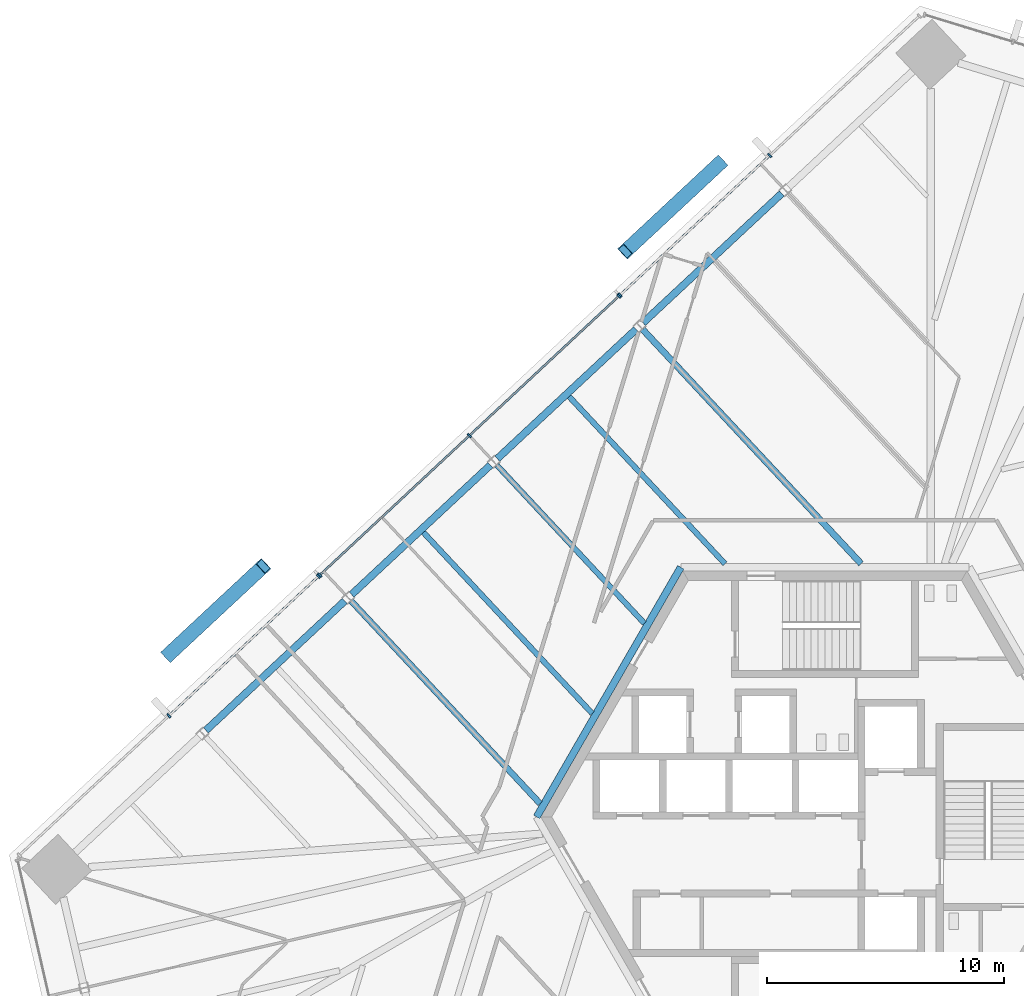
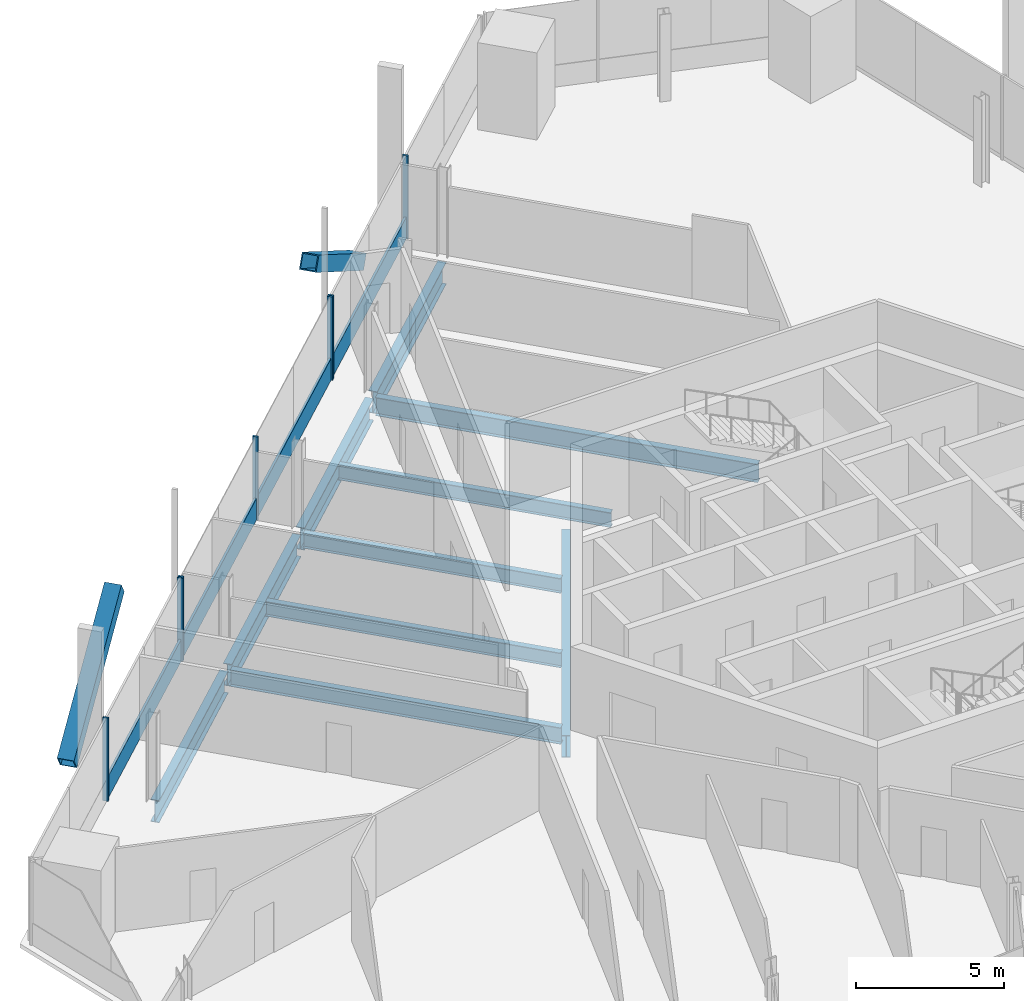
# One storey, part 8 of 23: 13 members, 10 beams, 3 elements without a shape of their own.
"""IFC4 building model written with IfcOpenShell, lengths in metres."""

import ifcopenshell
import ifcopenshell.guid

model = None  # the IFC model being written
_history = None  # IfcOwnerHistory: only IFC2X3 demands one
_inside = {}  # id of a spatial element -> (the spatial element, [elements in it])
_under = {}  # id of a project, library or spatial element -> (it, [spatial elements below it])
_declared = {}  # id of a project -> (the project, [libraries it declares])
_typed = {}  # id of a type object -> (the type object, [elements of that type])
_made_of = {}  # id of a material, layer set ... -> (it, [elements and type objects made of it])


def new_model(schema):
    """Start an empty IFC model of exactly this schema.

    Asked for "IFC4X3", IfcOpenShell would pick the latest addendum, in which some entities
    have other attributes; the version numbers below select the first issue.
    IFC2X3 requires an IfcOwnerHistory on every rooted entity: one is made here for all.
    """
    global model, _history
    if schema == "IFC4X3":
        model = ifcopenshell.file(schema_version=(4, 3, 0, 0))
    else:
        model = ifcopenshell.file(schema=schema)
    _inside.clear()
    _under.clear()
    _declared.clear()
    _typed.clear()
    _made_of.clear()
    _history = None
    if model.schema == "IFC2X3":
        org = make("IfcOrganization", Name="unknown")
        user = make(
            "IfcPersonAndOrganization",
            ThePerson=make("IfcPerson", FamilyName="unknown"),
            TheOrganization=org,
        )
        app = make(
            "IfcApplication",
            ApplicationDeveloper=org,
            Version="unknown",
            ApplicationFullName="unknown",
            ApplicationIdentifier="unknown",
        )
        _history = make(
            "IfcOwnerHistory",
            OwningUser=user,
            OwningApplication=app,
            ChangeAction="ADDED",
            CreationDate=0,
        )
    return model


def make(cls, **values):
    """One entity of the class cls with the attributes given. An attribute that is None is left unset."""
    return model.create_entity(
        cls, **{name: value for name, value in values.items() if value is not None}
    )


def rooted(cls, **values):
    """An entity with a GlobalId (a new one), such as an element, a storey or a relation."""
    return make(cls, GlobalId=ifcopenshell.guid.new(), OwnerHistory=_history, **values)


def si_unit(unit_type, name, prefix=None):
    """IfcSIUnit, for example si_unit("LENGTHUNIT", "METRE", prefix="MILLI")."""
    return make("IfcSIUnit", UnitType=unit_type, Prefix=prefix, Name=name)


def assignment(units):
    """IfcUnitAssignment: the units of a project."""
    return None if units is None else make("IfcUnitAssignment", Units=units)


def point(xyz):
    """IfcCartesianPoint."""
    return None if xyz is None else make("IfcCartesianPoint", Coordinates=xyz)


def direction(xyz):
    """IfcDirection."""
    return None if xyz is None else make("IfcDirection", DirectionRatios=xyz)


def frame(location, z_axis=None, x_axis=None):
    """IfcAxis2Placement3D, a coordinate frame: its origin and axes. An axis left out is left unset."""
    return make(
        "IfcAxis2Placement3D",
        Location=point(location),
        Axis=direction(z_axis),
        RefDirection=direction(x_axis),
    )


def frame_2d(location, x_axis=None):
    """IfcAxis2Placement2D, a coordinate frame in the plane: its origin and x axis."""
    return make(
        "IfcAxis2Placement2D", Location=point(location), RefDirection=direction(x_axis)
    )


def origin():
    """The frame at (0, 0, 0) with its axes left unset."""
    return frame((0.0, 0.0, 0.0))


def origin_2d():
    """The frame at (0, 0) in the plane with its x axis left unset."""
    return frame_2d((0.0, 0.0))


def place(relative_to, where):
    """IfcLocalPlacement: puts the frame where relative to a parent placement (None: the world)."""
    return make(
        "IfcLocalPlacement", PlacementRelTo=relative_to, RelativePlacement=where
    )


def context(
    kind, dimensions, precision=None, world=None, true_north=None, identifier=None
):
    """IfcGeometricRepresentationContext, for example the 3D "Model" context."""
    return make(
        "IfcGeometricRepresentationContext",
        ContextIdentifier=identifier,
        ContextType=kind,
        CoordinateSpaceDimension=dimensions,
        Precision=precision,
        WorldCoordinateSystem=world,
        TrueNorth=true_north,
    )


def subcontext(parent, identifier, kind, view, scale=None):
    """IfcGeometricRepresentationSubContext, for example "Body" below "Model"."""
    return make(
        "IfcGeometricRepresentationSubContext",
        ContextIdentifier=identifier,
        ContextType=kind,
        ParentContext=parent,
        TargetScale=scale,
        TargetView=view,
    )


def project(units=None, contexts=None):
    """IfcProject with its units and contexts."""
    return rooted(
        "IfcProject",
        Name="project",
        RepresentationContexts=contexts,
        UnitsInContext=assignment(units),
    )


def spatial(cls, under=None, at=None, **own):
    """A site, building, storey or space (cls), placed at a placement, below another one or the project."""
    s = rooted(cls, ObjectPlacement=at, **own)
    if under is not None:
        _under.setdefault(under.id(), (under, []))[1].append(s)
    return s


def profile(cls, at=None, kind="AREA", **sizes):
    """A parametric profile (cls). Its sizes go by their IFC names, for example OverallWidth=200.0."""
    return make(cls, ProfileType=kind, Position=at, **sizes)


def rectangle(**sizes):
    """IfcRectangleProfileDef."""
    return profile("IfcRectangleProfileDef", **sizes)


def hollow_rectangle(**sizes):
    """IfcRectangleHollowProfileDef."""
    return profile("IfcRectangleHollowProfileDef", **sizes)


def i_section(**sizes):
    """IfcIShapeProfileDef."""
    return profile("IfcIShapeProfileDef", **sizes)


def extrude(swept, where, along, depth):
    """IfcExtrudedAreaSolid: the profile swept, set in the frame where, extruded along a direction by depth."""
    return make(
        "IfcExtrudedAreaSolid",
        SweptArea=swept,
        Position=where,
        ExtrudedDirection=direction(along),
        Depth=depth,
    )


def shape(context_of_items, identifier, shape_type, items):
    """IfcShapeRepresentation: the items that make up one representation, for example the "Body"."""
    return make(
        "IfcShapeRepresentation",
        ContextOfItems=context_of_items,
        RepresentationIdentifier=identifier,
        RepresentationType=shape_type,
        Items=items,
    )


def source(mapping_origin, context_of_items, identifier, shape_type, items):
    """IfcRepresentationMap: a shape defined once, which mapped items show again and again."""
    return make(
        "IfcRepresentationMap",
        MappingOrigin=mapping_origin,
        MappedRepresentation=shape(context_of_items, identifier, shape_type, items),
    )


def transform(
    local_origin,
    x_axis=None,
    y_axis=None,
    z_axis=None,
    scale=None,
    scale2=None,
    scale3=None,
    uniform=True,
):
    """IfcCartesianTransformationOperator3D, or its non-uniform kind. x_axis, y_axis, z_axis: its Axis1, 2, 3."""
    if uniform:
        return make(
            "IfcCartesianTransformationOperator3D",
            Axis1=direction(x_axis),
            Axis2=direction(y_axis),
            LocalOrigin=point(local_origin),
            Scale=scale,
            Axis3=direction(z_axis),
        )
    return make(
        "IfcCartesianTransformationOperator3DnonUniform",
        Axis1=direction(x_axis),
        Axis2=direction(y_axis),
        LocalOrigin=point(local_origin),
        Scale=scale,
        Axis3=direction(z_axis),
        Scale2=scale2,
        Scale3=scale3,
    )


def mapped(mapping_source, mapping_target):
    """IfcMappedItem: shows the shape of a source again, moved by a transform."""
    return make(
        "IfcMappedItem", MappingSource=mapping_source, MappingTarget=mapping_target
    )


def material(Name=None, Category=None):
    """IfcMaterial."""
    return make("IfcMaterial", Name=Name, Category=Category)


def material_profile(
    of_material, cross_section, Name=None, Category=None, Priority=None
):
    """IfcMaterialProfile: a cross section and its material."""
    return make(
        "IfcMaterialProfile",
        Name=Name,
        Material=of_material,
        Profile=cross_section,
        Priority=Priority,
        Category=Category,
    )


def profile_set(profiles, Name=None, composite=None):
    """IfcMaterialProfileSet."""
    return make(
        "IfcMaterialProfileSet",
        Name=Name,
        MaterialProfiles=profiles,
        CompositeProfile=composite,
    )


def made_of(thing, what):
    """Note that an element or type object is made of a material, layer set ...; save() writes the relation."""
    if what is not None:
        _made_of.setdefault(what.id(), (what, []))[1].append(thing)
    return thing


def type_object(cls, material=None, **own):
    """A type object (cls), such as IfcWallType, which elements share."""
    return made_of(rooted(cls, **own), material)


def element(
    cls,
    number,
    at=None,
    inside=None,
    cuts=None,
    type_object=None,
    material=None,
    context=None,
    identifier="Body",
    shape_type=None,
    held_by="IfcProductDefinitionShape",
    body=None,
    shapes=None,
    **own,
):
    """One element of the class cls, such as IfcWall. Its Tag is "e" and its number.

    at: its placement. inside: the storey or other place that contains it. cuts: it is an
    opening in that element (IfcRelVoidsElement). A single representation is given by context,
    identifier, shape_type and body (its items); several are given by shapes. held_by: the class
    of the entity that holds the representations. save() writes the other relations.
    """
    e = rooted(cls, Tag="e%d" % number, ObjectPlacement=at, **own)
    if body is not None:
        shapes = [shape(context, identifier, shape_type, body)]
    if shapes is not None:
        e.Representation = make(held_by, Representations=shapes)
    if inside is not None:
        _inside.setdefault(inside.id(), (inside, []))[1].append(e)
    if cuts is not None:
        rooted(
            "IfcRelVoidsElement", RelatingBuildingElement=cuts, RelatedOpeningElement=e
        )
    if type_object is not None:
        _typed.setdefault(type_object.id(), (type_object, []))[1].append(e)
    return made_of(e, material)


def aggregate(whole, parts):
    """IfcRelAggregates: a whole, such as a stair, and the parts it consists of."""
    return rooted("IfcRelAggregates", RelatingObject=whole, RelatedObjects=parts)


def save(model, path):
    """Write the relations noted so far, then the file.

    IfcRelAggregates (storeys below a building ...), IfcRelContainedInSpatialStructure (elements
    in a storey), IfcRelDefinesByType, IfcRelAssociatesMaterial and IfcRelDeclares: one each for
    every whole, place, type object, material and project.
    """
    for whole, parts in _under.values():
        aggregate(whole, parts)
    for where, things in _inside.values():
        rooted(
            "IfcRelContainedInSpatialStructure",
            RelatedElements=things,
            RelatingStructure=where,
        )
    for kind, things in _typed.values():
        rooted("IfcRelDefinesByType", RelatedObjects=things, RelatingType=kind)
    for what, things in _made_of.values():
        rooted("IfcRelAssociatesMaterial", RelatedObjects=things, RelatingMaterial=what)
    for by, libraries in _declared.values():
        rooted("IfcRelDeclares", RelatingContext=by, RelatedDefinitions=libraries)
    model.write(path)


model = new_model("IFC4")

# Units and contexts
model_context = context("Model", 3, precision=1e-05, world=origin(), true_north=direction((0.0, 1.0)))
body_context = subcontext(model_context, "Body", "Model", "MODEL_VIEW")
ifc_project = project(units=[si_unit("LENGTHUNIT", "METRE"), si_unit("AREAUNIT", "SQUARE_METRE"), si_unit("VOLUMEUNIT", "CUBIC_METRE"), si_unit("PLANEANGLEUNIT", "RADIAN"), si_unit("MASSUNIT", "GRAM", prefix="KILO")], contexts=[model_context])

# Site, building, storey
site_placement = place(None, origin())
site = spatial("IfcSite", under=ifc_project, at=site_placement, CompositionType="ELEMENT")
building_placement = place(site_placement, origin())
building = spatial("IfcBuilding", under=site, at=building_placement, Name="Triune Harvest Tower", CompositionType="ELEMENT")
storey_placement = place(building_placement, frame((0.0, 0.0, 105.5)))
storey = spatial("IfcBuildingStorey", under=building, at=storey_placement, Name="L26", CompositionType="ELEMENT", Elevation=105.5)

# Beams
ifc_material_1 = material(Name="Steel ASTM A992 Gr 50", Category="steel")
ifc_material_profile_1 = material_profile(ifc_material_1, i_section(OverallWidth=0.3046875, OverallDepth=0.914306640625, WebThickness=0.0166015625, FlangeThickness=0.02587890625, at=origin_2d()), Name="W36x160")
ifc_profile_set_1 = profile_set([ifc_material_profile_1], Name="Steel ASTM A992 Gr 50")
beam_type_1 = type_object("IfcBeamType", Name="CG-1 Core ring girder W36x160", PredefinedType="BEAM", material=ifc_profile_set_1)
shared_shape_1 = source(origin(), body_context, "Body", "SweptSolid", [
    extrude(i_section(OverallWidth=0.3046875, OverallDepth=0.914306640625, WebThickness=0.0166015625, FlangeThickness=0.02587890625, at=origin_2d()), origin(), (0.0, 0.0, 1.0), 12.176025390625),
])
beam_1_placement = place(storey_placement, frame((-6.087890625, 10.544677734375, -0.6171875), z_axis=(-0.5000099932, -0.866019634131, 0.0), x_axis=(0.866019634131, -0.5000099932, 0.0)))
element("IfcBeam", 1, at=beam_1_placement, inside=storey, type_object=beam_type_1, Name="beam/L26/CG3", PredefinedType="BEAM", context=body_context, shape_type="MappedRepresentation", body=[
    mapped(shared_shape_1, transform((0.0, 0.0, 0.0), scale=1.0)),
])
ifc_material_2 = material(Name="Steel ASTM A992 Gr 50", Category="steel")
ifc_material_profile_2 = material_profile(ifc_material_2, i_section(OverallWidth=0.3046875, OverallDepth=0.914306640625, WebThickness=0.0166015625, FlangeThickness=0.02587890625, at=origin_2d()), Name="W36x160")
ifc_profile_set_2 = profile_set([ifc_material_profile_2], Name="Steel ASTM A992 Gr 50")
beam_type_2 = type_object("IfcBeamType", Name="SB-1 Spandrel beam W36x160", PredefinedType="SPANDREL", material=ifc_profile_set_2)
shared_shape_2 = source(origin(), body_context, "Body", "SweptSolid", [
    extrude(i_section(OverallWidth=0.3046875, OverallDepth=0.914306640625, WebThickness=0.0166015625, FlangeThickness=0.02587890625, at=origin_2d()), origin(), (0.0, 0.0, 1.0), 8.018310546875),
])
for number, where, z_axis, x_axis, name in (
    (2, (-7.9755859375, 20.600341796875, -0.6171875), (-0.731353889465, -0.681998158623, 0.0), (0.681998158623, -0.731353889465, 0.0), "beam/L26/SB11"),
    (3, (-14.129638671875, 14.86181640625, -0.6171875), (-0.731353889465, -0.681998158623, 0.0), (0.681998158623, -0.731353889465, 0.0), "beam/L26/SB12"),
):
    element("IfcBeam", number, at=place(storey_placement, frame(where, z_axis=z_axis, x_axis=x_axis)), inside=storey, type_object=beam_type_2, Name=name, PredefinedType="SPANDREL", context=body_context, shape_type="MappedRepresentation", body=[
        mapped(shared_shape_2, transform((0.0, 0.0, 0.0), scale=1.0)),
    ])
shared_shape_3 = source(origin(), body_context, "Body", "SweptSolid", [
    extrude(i_section(OverallWidth=0.3046875, OverallDepth=0.914306640625, WebThickness=0.0166015625, FlangeThickness=0.02587890625, at=origin_2d()), origin(), (0.0, 0.0, 1.0), 8.01806640625),
])
for number, where, z_axis, x_axis, name in (
    (4, (-1.82177734375, 26.339111328125, -0.6171875), (-0.731339727109, -0.682013345582, 0.0), (0.682013345582, -0.731339727109, 0.0), "beam/L26/SB10"),
    (5, (-20.28369140625, 9.123046875, -0.6171875), (-0.731339727109, -0.682013345582, 0.0), (0.682013345582, -0.731339727109, 0.0), "beam/L26/SB13"),
):
    element("IfcBeam", number, at=place(storey_placement, frame(where, z_axis=z_axis, x_axis=x_axis)), inside=storey, type_object=beam_type_2, Name=name, PredefinedType="SPANDREL", context=body_context, shape_type="MappedRepresentation", body=[
        mapped(shared_shape_3, transform((0.0, 0.0, 0.0), scale=1.0)),
    ])
ifc_material_3 = material(Name="Steel ASTM A992 Gr 50", Category="steel")
ifc_material_profile_3 = material_profile(ifc_material_3, i_section(OverallWidth=0.2666015625, OverallDepth=0.7568359375, WebThickness=0.013916015625, FlangeThickness=0.019287109375, at=origin_2d()), Name="W30x108")
ifc_profile_set_3 = profile_set([ifc_material_profile_3], Name="Steel ASTM A992 Gr 50")
beam_type_3 = type_object("IfcBeamType", Name="JT-5 Floor joist W30x108", PredefinedType="JOIST", material=ifc_profile_set_3)
shared_shape_4 = source(origin(), body_context, "Body", "SweptSolid", [
    extrude(i_section(OverallWidth=0.2666015625, OverallDepth=0.7568359375, WebThickness=0.013916015625, FlangeThickness=0.019287109375, at=origin_2d()), origin(), (0.0, 0.0, 1.0), 13.535400390625),
])
beam_2_placement = place(storey_placement, frame((-7.700927734375, 20.59619140625, -0.53857421875), z_axis=(0.681991710808, -0.731359902093, 0.0), x_axis=(0.731359902093, 0.681991710808, 0.0)))
element("IfcBeam", 6, at=beam_2_placement, inside=storey, type_object=beam_type_3, Name="beam/L26/JT17", PredefinedType="JOIST", context=body_context, shape_type="MappedRepresentation", body=[
    mapped(shared_shape_4, transform((0.0, 0.0, 0.0), scale=1.0)),
])
ifc_material_4 = material(Name="Steel ASTM A992 Gr 50", Category="steel")
ifc_material_profile_4 = material_profile(ifc_material_4, i_section(OverallWidth=0.22900390625, OverallDepth=0.612060546875, WebThickness=0.011962890625, FlangeThickness=0.01953125, at=origin_2d()), Name="W24x84")
ifc_profile_set_4 = profile_set([ifc_material_profile_4], Name="Steel ASTM A992 Gr 50")
beam_type_4 = type_object("IfcBeamType", Name="JT-3 Floor joist W24x84", PredefinedType="JOIST", material=ifc_profile_set_4)
shared_shape_5 = source(origin(), body_context, "Body", "SweptSolid", [
    extrude(i_section(OverallWidth=0.22900390625, OverallDepth=0.612060546875, WebThickness=0.011962890625, FlangeThickness=0.01953125, at=origin_2d()), origin(), (0.0, 0.0, 1.0), 9.64990234375),
])
beam_3_placement = place(storey_placement, frame((-10.8037109375, 17.754638671875, -0.466064453125), z_axis=(0.681982850357, -0.731368164346, 0.0), x_axis=(0.731368164346, 0.681982850357, 0.0)))
element("IfcBeam", 7, at=beam_3_placement, inside=storey, type_object=beam_type_4, Name="beam/L26/JT18", PredefinedType="JOIST", context=body_context, shape_type="MappedRepresentation", body=[
    mapped(shared_shape_5, transform((0.0, 0.0, 0.0), scale=1.0)),
])
shared_shape_6 = source(origin(), body_context, "Body", "SweptSolid", [
    extrude(i_section(OverallWidth=0.22900390625, OverallDepth=0.612060546875, WebThickness=0.011962890625, FlangeThickness=0.01953125, at=origin_2d()), origin(), (0.0, 0.0, 1.0), 9.12890625),
])
beam_4_placement = place(storey_placement, frame((-13.854736328125, 14.857421875, -0.466064453125), z_axis=(0.681991349896, -0.731360238642, 0.0), x_axis=(0.731360238642, 0.681991349896, 0.0)))
element("IfcBeam", 8, at=beam_4_placement, inside=storey, type_object=beam_type_4, Name="beam/L26/JT19", PredefinedType="JOIST", context=body_context, shape_type="MappedRepresentation", body=[
    mapped(shared_shape_6, transform((0.0, 0.0, 0.0), scale=1.0)),
])
shared_shape_7 = source(origin(), body_context, "Body", "SweptSolid", [
    extrude(i_section(OverallWidth=0.22900390625, OverallDepth=0.612060546875, WebThickness=0.011962890625, FlangeThickness=0.01953125, at=origin_2d()), origin(), (0.0, 0.0, 1.0), 10.453369140625),
])
beam_5_placement = place(storey_placement, frame((-16.957763671875, 12.01611328125, -0.466064453125), z_axis=(0.681989491602, -0.731361971492, 0.0), x_axis=(0.731361971492, 0.681989491602, 0.0)))
element("IfcBeam", 9, at=beam_5_placement, inside=storey, type_object=beam_type_4, Name="beam/L26/JT20", PredefinedType="JOIST", context=body_context, shape_type="MappedRepresentation", body=[
    mapped(shared_shape_7, transform((0.0, 0.0, 0.0), scale=1.0)),
])
ifc_material_5 = material(Name="Steel ASTM A992 Gr 50", Category="steel")
ifc_material_profile_5 = material_profile(ifc_material_5, i_section(OverallWidth=0.253662109375, OverallDepth=0.683349609375, WebThickness=0.012451171875, FlangeThickness=0.01904296875, at=origin_2d()), Name="W27x94")
ifc_profile_set_5 = profile_set([ifc_material_profile_5], Name="Steel ASTM A992 Gr 50")
beam_type_5 = type_object("IfcBeamType", Name="JT-4 Floor joist W27x94", PredefinedType="JOIST", material=ifc_profile_set_5)
shared_shape_8 = source(origin(), body_context, "Body", "SweptSolid", [
    extrude(i_section(OverallWidth=0.253662109375, OverallDepth=0.683349609375, WebThickness=0.012451171875, FlangeThickness=0.01904296875, at=origin_2d()), origin(), (0.0, 0.0, 1.0), 11.70166015625),
])
beam_6_placement = place(storey_placement, frame((-20.0087890625, 9.118896484375, -0.501708984375), z_axis=(0.681994076682, -0.731357695913, 0.0), x_axis=(0.731357695913, 0.681994076682, 0.0)))
element("IfcBeam", 10, at=beam_6_placement, inside=storey, type_object=beam_type_5, Name="beam/L26/JT21", PredefinedType="JOIST", context=body_context, shape_type="MappedRepresentation", body=[
    mapped(shared_shape_8, transform((0.0, 0.0, 0.0), scale=1.0)),
])

# Members
ifc_material_6 = material(Name="Steel ASTM A572 Gr 50", Category="steel")
ifc_material_profile_6 = material_profile(ifc_material_6, hollow_rectangle(XDim=0.60009765625, YDim=0.60009765625, WallThickness=0.0400390625, at=origin_2d()), Name="Box 600x600x40")
ifc_profile_set_6 = profile_set([ifc_material_profile_6], Name="Steel ASTM A572 Gr 50")
member_type_1 = type_object("IfcMemberType", Name="BR-2 Brace Box 600x600x40", PredefinedType="BRACE", material=ifc_profile_set_6)
shared_shape_9 = source(origin(), body_context, "Body", "SweptSolid", [
    extrude(hollow_rectangle(XDim=0.60009765625, YDim=0.60009765625, WallThickness=0.0400390625, at=origin_2d()), origin(), (0.0, 0.0, 1.0), 6.56640625),
])
member_1_placement = place(storey_placement, frame((-27.73828125, 6.845703125, 0.0), z_axis=(0.611615752196, 0.57038281182, 0.548260539932), x_axis=(-0.682025155065, 0.731328713957, 0.0)))
element("IfcMember", 11, at=member_1_placement, inside=storey, type_object=member_type_1, Name="brace/B3-F3/d2/3", PredefinedType="BRACE", context=body_context, shape_type="MappedRepresentation", body=[
    mapped(shared_shape_9, transform((0.0, 0.0, 0.0), scale=1.0)),
])
shared_shape_10 = source(origin(), body_context, "Body", "SweptSolid", [
    extrude(hollow_rectangle(XDim=0.60009765625, YDim=0.60009765625, WallThickness=0.0400390625, at=origin_2d()), origin(), (0.0, 0.0, 1.0), 6.566650390625),
])
member_2_placement = place(storey_placement, frame((-4.416748046875, 27.636474609375, 0.0), z_axis=(-0.611639023518, -0.570369841334, 0.548248072506), x_axis=(0.682002980671, -0.731349392805, 0.0)))
element("IfcMember", 12, at=member_2_placement, inside=storey, type_object=member_type_1, Name="brace/B3-F3/d1/3", PredefinedType="BRACE", context=body_context, shape_type="MappedRepresentation", body=[
    mapped(shared_shape_10, transform((0.0, 0.0, 0.0), scale=1.0)),
])

# Curtain wall, members
ifc_material_7 = material(Name="Aluminium bronze anodised", Category="aluminium")
curtain_wall_type_1 = type_object("IfcCurtainWallType", Name="CW-7 Tower stick curtain wall with insulated spandrel infill", PredefinedType="NOTDEFINED", material=ifc_material_7)
curtain_wall_1_placement = place(storey_placement, origin())
curtain_wall_1 = element("IfcCurtainWall", 13, at=curtain_wall_1_placement, inside=storey, type_object=curtain_wall_type_1, Name="CW-7 B3-F3 L26 run 1")
ifc_material_8 = material(Name="Aluminium bronze anodised", Category="aluminium")
ifc_material_profile_7 = material_profile(ifc_material_8, rectangle(XDim=0.199951171875, YDim=0.074951171875, at=origin_2d()), Name="MU-1 mullion 75 x 200")
ifc_profile_set_7 = profile_set([ifc_material_profile_7], Name="Aluminium bronze anodised")
member_type_2 = type_object("IfcMemberType", Name="MU-1 mullion 75 x 200", PredefinedType="MULLION", material=ifc_profile_set_7)
shared_shape_11 = source(origin(), body_context, "Body", "SweptSolid", [
    extrude(rectangle(XDim=0.199951171875, YDim=0.074951171875, at=origin_2d()), origin(), (0.0, 0.0, 1.0), 3.43994140625),
])
member_3_placement = place(storey_placement, frame((-2.328857421875, 27.942626953125, 0.0), z_axis=(0.0, 0.0, 1.0), x_axis=(0.681999137741, -0.731352976421, 0.0)))
member_3 = element("IfcMember", 14, at=member_3_placement, type_object=member_type_2, Name="CW-7 mullion B3-F3 1.3", PredefinedType="MULLION", context=body_context, shape_type="MappedRepresentation", body=[
    mapped(shared_shape_11, transform((0.0, 0.0, 0.0), scale=1.0)),
])
member_4_placement = place(storey_placement, frame((-8.647216796875, 22.050537109375, 0.0), z_axis=(0.0, 0.0, 1.0), x_axis=(0.681999137741, -0.731352976421, 0.0)))
member_4 = element("IfcMember", 15, at=member_4_placement, type_object=member_type_2, Name="CW-7 mullion B3-F3 1.5", PredefinedType="MULLION", context=body_context, shape_type="MappedRepresentation", body=[
    mapped(shared_shape_11, transform((0.0, 0.0, 0.0), scale=1.0)),
])

ifc_material_9 = material(Name="Aluminium bronze anodised", Category="aluminium")
curtain_wall_type_2 = type_object("IfcCurtainWallType", Name="CW-1 Tower stick curtain wall", PredefinedType="NOTDEFINED", material=ifc_material_9)
curtain_wall_2_placement = place(storey_placement, origin())
curtain_wall_2 = element("IfcCurtainWall", 16, at=curtain_wall_2_placement, inside=storey, type_object=curtain_wall_type_2, Name="CW-1 B3-F3 L26 run 1001")
member_5_placement = place(storey_placement, frame((-8.7021484375, 21.99951171875, 0.0), z_axis=(0.0, 0.0, 1.0), x_axis=(0.681997891068, -0.731354138963, 0.0)))
member_5 = element("IfcMember", 17, at=member_5_placement, type_object=member_type_2, Name="CW-1 mullion B3-F3 1001.1", PredefinedType="MULLION", context=body_context, shape_type="MappedRepresentation", body=[
    mapped(shared_shape_11, transform((0.0, 0.0, 0.0), scale=1.0)),
])
member_6_placement = place(storey_placement, frame((-15.0205078125, 16.107421875, 0.0), z_axis=(0.0, 0.0, 1.0), x_axis=(0.681997891068, -0.731354138963, 0.0)))
member_6 = element("IfcMember", 18, at=member_6_placement, type_object=member_type_2, Name="CW-1 mullion B3-F3 1001.3", PredefinedType="MULLION", context=body_context, shape_type="MappedRepresentation", body=[
    mapped(shared_shape_11, transform((0.0, 0.0, 0.0), scale=1.0)),
])
member_7_placement = place(storey_placement, frame((-21.3388671875, 10.215576171875, 0.0), z_axis=(0.0, 0.0, 1.0), x_axis=(0.681997891068, -0.731354138963, 0.0)))
member_7 = element("IfcMember", 19, at=member_7_placement, type_object=member_type_2, Name="CW-1 mullion B3-F3 1001.5", PredefinedType="MULLION", context=body_context, shape_type="MappedRepresentation", body=[
    mapped(shared_shape_11, transform((0.0, 0.0, 0.0), scale=1.0)),
])

curtain_wall_3_placement = place(storey_placement, origin())
curtain_wall_3 = element("IfcCurtainWall", 20, at=curtain_wall_3_placement, inside=storey, type_object=curtain_wall_type_1, Name="CW-7 B3-F3 L26 run 2001")
member_8_placement = place(storey_placement, frame((-21.3935546875, 10.164306640625, 0.0), z_axis=(0.0, 0.0, 1.0), x_axis=(0.681999137741, -0.731352976421, 0.0)))
member_8 = element("IfcMember", 21, at=member_8_placement, type_object=member_type_2, Name="CW-7 mullion B3-F3 2001.1", PredefinedType="MULLION", context=body_context, shape_type="MappedRepresentation", body=[
    mapped(shared_shape_11, transform((0.0, 0.0, 0.0), scale=1.0)),
])
member_9_placement = place(storey_placement, frame((-27.7119140625, 4.2724609375, 0.0), z_axis=(0.0, 0.0, 1.0), x_axis=(0.681999137741, -0.731352976421, 0.0)))
member_9 = element("IfcMember", 22, at=member_9_placement, type_object=member_type_2, Name="CW-7 mullion B3-F3 2001.3", PredefinedType="MULLION", context=body_context, shape_type="MappedRepresentation", body=[
    mapped(shared_shape_11, transform((0.0, 0.0, 0.0), scale=1.0)),
])

# Member
ifc_material_10 = material(Name="Aluminium bronze anodised", Category="aluminium")
ifc_material_profile_8 = material_profile(ifc_material_10, rectangle(XDim=0.090087890625, YDim=0.89990234375, at=origin_2d()), Name="TR-1 transom 90 x 900")
ifc_profile_set_8 = profile_set([ifc_material_profile_8], Name="Aluminium bronze anodised")
member_type_3 = type_object("IfcMemberType", Name="TR-1 transom 90 x 900", PredefinedType="USERDEFINED", material=ifc_profile_set_8)
shared_shape_12 = source(origin(), body_context, "Body", "SweptSolid", [
    extrude(rectangle(XDim=0.090087890625, YDim=0.89990234375, at=origin_2d()), origin(), (0.0, 0.0, 1.0), 8.564208984375),
])
member_10_placement = place(storey_placement, frame((-2.3564453125, 27.9169921875, 0.449951171875), z_axis=(-0.731349073873, -0.682003322679, 0.0), x_axis=(0.682003322679, -0.731349073873, 0.0)))
member_10 = element("IfcMember", 23, at=member_10_placement, type_object=member_type_3, Name="CW-7 transom B3-F3 1.2", ObjectType="TRANSOM", PredefinedType="USERDEFINED", context=body_context, shape_type="MappedRepresentation", body=[
    mapped(shared_shape_12, transform((0.0, 0.0, 0.0), scale=1.0)),
])

aggregate(curtain_wall_1, [member_3, member_4, member_10])

member_11_placement = place(storey_placement, frame((-8.7294921875, 21.973876953125, 0.449951171875), z_axis=(-0.731349073873, -0.682003322679, 0.0), x_axis=(0.682003322679, -0.731349073873, 0.0)))
member_11 = element("IfcMember", 24, at=member_11_placement, type_object=member_type_3, Name="CW-1 transom B3-F3 1001.1", ObjectType="TRANSOM", PredefinedType="USERDEFINED", context=body_context, shape_type="MappedRepresentation", body=[
    mapped(shared_shape_12, transform((0.0, 0.0, 0.0), scale=1.0)),
])

member_12_placement = place(storey_placement, frame((-15.0478515625, 16.08203125, 0.449951171875), z_axis=(-0.731349073873, -0.682003322679, 0.0), x_axis=(0.682003322679, -0.731349073873, 0.0)))
member_12 = element("IfcMember", 25, at=member_12_placement, type_object=member_type_3, Name="CW-1 transom B3-F3 1001.2", ObjectType="TRANSOM", PredefinedType="USERDEFINED", context=body_context, shape_type="MappedRepresentation", body=[
    mapped(shared_shape_12, transform((0.0, 0.0, 0.0), scale=1.0)),
])

aggregate(curtain_wall_2, [member_5, member_6, member_7, member_11, member_12])

member_13_placement = place(storey_placement, frame((-21.421142578125, 10.138916015625, 0.449951171875), z_axis=(-0.731349073873, -0.682003322679, 0.0), x_axis=(0.682003322679, -0.731349073873, 0.0)))
member_13 = element("IfcMember", 26, at=member_13_placement, type_object=member_type_3, Name="CW-7 transom B3-F3 2001.1", ObjectType="TRANSOM", PredefinedType="USERDEFINED", context=body_context, shape_type="MappedRepresentation", body=[
    mapped(shared_shape_12, transform((0.0, 0.0, 0.0), scale=1.0)),
])

aggregate(curtain_wall_3, [member_8, member_9, member_13])

save(model, "model.ifc")
